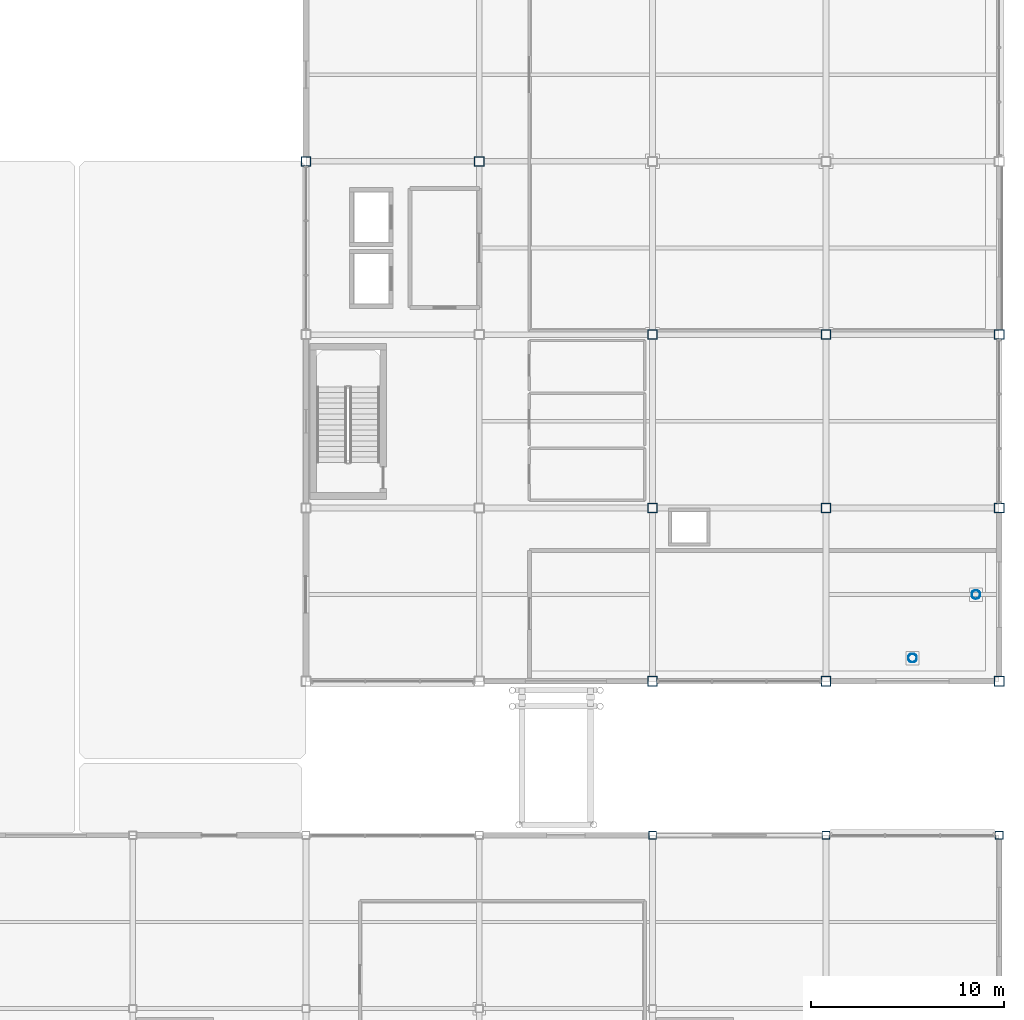
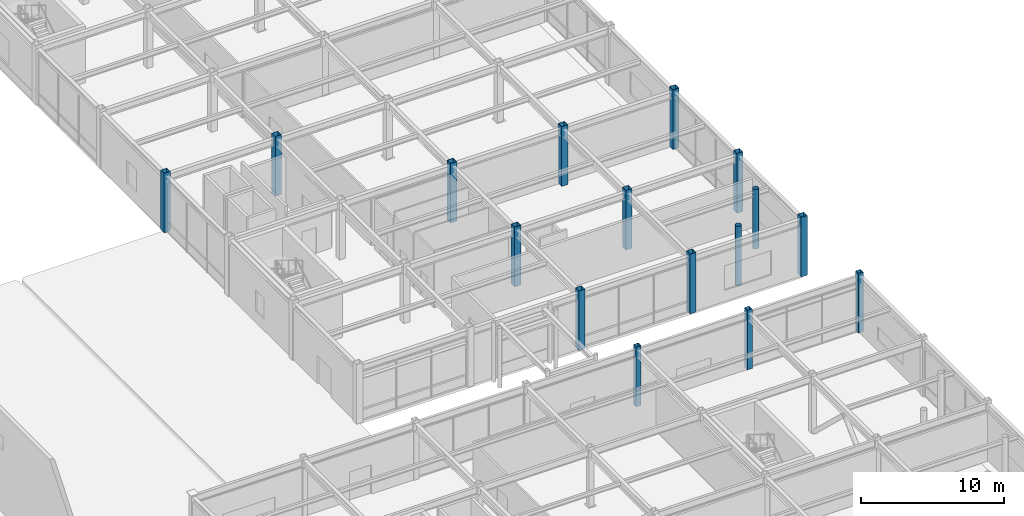
# One storey, part 25 of 123: 16 columns.
"""IFC4 building model written with IfcOpenShell, lengths in metres."""

import ifcopenshell
import ifcopenshell.guid

model = None  # the IFC model being written
_history = None  # IfcOwnerHistory: only IFC2X3 demands one
_inside = {}  # id of a spatial element -> (the spatial element, [elements in it])
_under = {}  # id of a project, library or spatial element -> (it, [spatial elements below it])
_declared = {}  # id of a project -> (the project, [libraries it declares])
_typed = {}  # id of a type object -> (the type object, [elements of that type])
_made_of = {}  # id of a material, layer set ... -> (it, [elements and type objects made of it])


def new_model(schema):
    """Start an empty IFC model of exactly this schema.

    Asked for "IFC4X3", IfcOpenShell would pick the latest addendum, in which some entities
    have other attributes; the version numbers below select the first issue.
    IFC2X3 requires an IfcOwnerHistory on every rooted entity: one is made here for all.
    """
    global model, _history
    if schema == "IFC4X3":
        model = ifcopenshell.file(schema_version=(4, 3, 0, 0))
    else:
        model = ifcopenshell.file(schema=schema)
    _inside.clear()
    _under.clear()
    _declared.clear()
    _typed.clear()
    _made_of.clear()
    _history = None
    if model.schema == "IFC2X3":
        org = make("IfcOrganization", Name="unknown")
        user = make(
            "IfcPersonAndOrganization",
            ThePerson=make("IfcPerson", FamilyName="unknown"),
            TheOrganization=org,
        )
        app = make(
            "IfcApplication",
            ApplicationDeveloper=org,
            Version="unknown",
            ApplicationFullName="unknown",
            ApplicationIdentifier="unknown",
        )
        _history = make(
            "IfcOwnerHistory",
            OwningUser=user,
            OwningApplication=app,
            ChangeAction="ADDED",
            CreationDate=0,
        )
    return model


def make(cls, **values):
    """One entity of the class cls with the attributes given. An attribute that is None is left unset."""
    return model.create_entity(
        cls, **{name: value for name, value in values.items() if value is not None}
    )


def rooted(cls, **values):
    """An entity with a GlobalId (a new one), such as an element, a storey or a relation."""
    return make(cls, GlobalId=ifcopenshell.guid.new(), OwnerHistory=_history, **values)


def si_unit(unit_type, name, prefix=None):
    """IfcSIUnit, for example si_unit("LENGTHUNIT", "METRE", prefix="MILLI")."""
    return make("IfcSIUnit", UnitType=unit_type, Prefix=prefix, Name=name)


def assignment(units):
    """IfcUnitAssignment: the units of a project."""
    return None if units is None else make("IfcUnitAssignment", Units=units)


def point(xyz):
    """IfcCartesianPoint."""
    return None if xyz is None else make("IfcCartesianPoint", Coordinates=xyz)


def direction(xyz):
    """IfcDirection."""
    return None if xyz is None else make("IfcDirection", DirectionRatios=xyz)


def frame(location, z_axis=None, x_axis=None):
    """IfcAxis2Placement3D, a coordinate frame: its origin and axes. An axis left out is left unset."""
    return make(
        "IfcAxis2Placement3D",
        Location=point(location),
        Axis=direction(z_axis),
        RefDirection=direction(x_axis),
    )


def frame_2d(location, x_axis=None):
    """IfcAxis2Placement2D, a coordinate frame in the plane: its origin and x axis."""
    return make(
        "IfcAxis2Placement2D", Location=point(location), RefDirection=direction(x_axis)
    )


def origin():
    """The frame at (0, 0, 0) with its axes left unset."""
    return frame((0.0, 0.0, 0.0))


def origin_2d():
    """The frame at (0, 0) in the plane with its x axis left unset."""
    return frame_2d((0.0, 0.0))


def place(relative_to, where):
    """IfcLocalPlacement: puts the frame where relative to a parent placement (None: the world)."""
    return make(
        "IfcLocalPlacement", PlacementRelTo=relative_to, RelativePlacement=where
    )


def context(
    kind, dimensions, precision=None, world=None, true_north=None, identifier=None
):
    """IfcGeometricRepresentationContext, for example the 3D "Model" context."""
    return make(
        "IfcGeometricRepresentationContext",
        ContextIdentifier=identifier,
        ContextType=kind,
        CoordinateSpaceDimension=dimensions,
        Precision=precision,
        WorldCoordinateSystem=world,
        TrueNorth=true_north,
    )


def subcontext(parent, identifier, kind, view, scale=None):
    """IfcGeometricRepresentationSubContext, for example "Body" below "Model"."""
    return make(
        "IfcGeometricRepresentationSubContext",
        ContextIdentifier=identifier,
        ContextType=kind,
        ParentContext=parent,
        TargetScale=scale,
        TargetView=view,
    )


def project(units=None, contexts=None):
    """IfcProject with its units and contexts."""
    return rooted(
        "IfcProject",
        Name="project",
        RepresentationContexts=contexts,
        UnitsInContext=assignment(units),
    )


def spatial(cls, under=None, at=None, **own):
    """A site, building, storey or space (cls), placed at a placement, below another one or the project."""
    s = rooted(cls, ObjectPlacement=at, **own)
    if under is not None:
        _under.setdefault(under.id(), (under, []))[1].append(s)
    return s


def profile(cls, at=None, kind="AREA", **sizes):
    """A parametric profile (cls). Its sizes go by their IFC names, for example OverallWidth=200.0."""
    return make(cls, ProfileType=kind, Position=at, **sizes)


def hollow_rectangle(**sizes):
    """IfcRectangleHollowProfileDef."""
    return profile("IfcRectangleHollowProfileDef", **sizes)


def hollow_circle(**sizes):
    """IfcCircleHollowProfileDef."""
    return profile("IfcCircleHollowProfileDef", **sizes)


def extrude(swept, where, along, depth):
    """IfcExtrudedAreaSolid: the profile swept, set in the frame where, extruded along a direction by depth."""
    return make(
        "IfcExtrudedAreaSolid",
        SweptArea=swept,
        Position=where,
        ExtrudedDirection=direction(along),
        Depth=depth,
    )


def shape(context_of_items, identifier, shape_type, items):
    """IfcShapeRepresentation: the items that make up one representation, for example the "Body"."""
    return make(
        "IfcShapeRepresentation",
        ContextOfItems=context_of_items,
        RepresentationIdentifier=identifier,
        RepresentationType=shape_type,
        Items=items,
    )


def material(Name=None, Category=None):
    """IfcMaterial."""
    return make("IfcMaterial", Name=Name, Category=Category)


def material_profile(
    of_material, cross_section, Name=None, Category=None, Priority=None
):
    """IfcMaterialProfile: a cross section and its material."""
    return make(
        "IfcMaterialProfile",
        Name=Name,
        Material=of_material,
        Profile=cross_section,
        Priority=Priority,
        Category=Category,
    )


def profile_set(profiles, Name=None, composite=None):
    """IfcMaterialProfileSet."""
    return make(
        "IfcMaterialProfileSet",
        Name=Name,
        MaterialProfiles=profiles,
        CompositeProfile=composite,
    )


def made_of(thing, what):
    """Note that an element or type object is made of a material, layer set ...; save() writes the relation."""
    if what is not None:
        _made_of.setdefault(what.id(), (what, []))[1].append(thing)
    return thing


def type_object(cls, material=None, **own):
    """A type object (cls), such as IfcWallType, which elements share."""
    return made_of(rooted(cls, **own), material)


def element(
    cls,
    number,
    at=None,
    inside=None,
    cuts=None,
    type_object=None,
    material=None,
    context=None,
    identifier="Body",
    shape_type=None,
    held_by="IfcProductDefinitionShape",
    body=None,
    shapes=None,
    **own,
):
    """One element of the class cls, such as IfcWall. Its Tag is "e" and its number.

    at: its placement. inside: the storey or other place that contains it. cuts: it is an
    opening in that element (IfcRelVoidsElement). A single representation is given by context,
    identifier, shape_type and body (its items); several are given by shapes. held_by: the class
    of the entity that holds the representations. save() writes the other relations.
    """
    e = rooted(cls, Tag="e%d" % number, ObjectPlacement=at, **own)
    if body is not None:
        shapes = [shape(context, identifier, shape_type, body)]
    if shapes is not None:
        e.Representation = make(held_by, Representations=shapes)
    if inside is not None:
        _inside.setdefault(inside.id(), (inside, []))[1].append(e)
    if cuts is not None:
        rooted(
            "IfcRelVoidsElement", RelatingBuildingElement=cuts, RelatedOpeningElement=e
        )
    if type_object is not None:
        _typed.setdefault(type_object.id(), (type_object, []))[1].append(e)
    return made_of(e, material)


def aggregate(whole, parts):
    """IfcRelAggregates: a whole, such as a stair, and the parts it consists of."""
    return rooted("IfcRelAggregates", RelatingObject=whole, RelatedObjects=parts)


def save(model, path):
    """Write the relations noted so far, then the file.

    IfcRelAggregates (storeys below a building ...), IfcRelContainedInSpatialStructure (elements
    in a storey), IfcRelDefinesByType, IfcRelAssociatesMaterial and IfcRelDeclares: one each for
    every whole, place, type object, material and project.
    """
    for whole, parts in _under.values():
        aggregate(whole, parts)
    for where, things in _inside.values():
        rooted(
            "IfcRelContainedInSpatialStructure",
            RelatedElements=things,
            RelatingStructure=where,
        )
    for kind, things in _typed.values():
        rooted("IfcRelDefinesByType", RelatedObjects=things, RelatingType=kind)
    for what, things in _made_of.values():
        rooted("IfcRelAssociatesMaterial", RelatedObjects=things, RelatingMaterial=what)
    for by, libraries in _declared.values():
        rooted("IfcRelDeclares", RelatingContext=by, RelatedDefinitions=libraries)
    model.write(path)


model = new_model("IFC4")

# Units and contexts
model_context = context("Model", 3, precision=1e-05, world=origin(), true_north=direction((0.0, 1.0)))
body_context = subcontext(model_context, "Body", "Model", "MODEL_VIEW")
ifc_project = project(units=[si_unit("LENGTHUNIT", "METRE"), si_unit("AREAUNIT", "SQUARE_METRE"), si_unit("VOLUMEUNIT", "CUBIC_METRE"), si_unit("PLANEANGLEUNIT", "RADIAN"), si_unit("MASSUNIT", "GRAM", prefix="KILO")], contexts=[model_context])

# Site, building, storey
site_placement = place(None, origin())
site = spatial("IfcSite", under=ifc_project, at=site_placement, CompositionType="ELEMENT")
building_placement = place(site_placement, origin())
building = spatial("IfcBuilding", under=site, at=building_placement, Name="Suzunagisa Mobility Hub", CompositionType="ELEMENT")
storey_placement = place(building_placement, origin())
storey = spatial("IfcBuildingStorey", under=building, at=storey_placement, Name="L00", CompositionType="ELEMENT", Elevation=0.0)

# Columns
ifc_material = material(Name="Steel SN490B", Category="steel")
ifc_material_profile_1 = material_profile(ifc_material, hollow_circle(Radius=0.228515625, WallThickness=0.01611328125, at=origin_2d()), Name="CHS-457.2x16.0")
ifc_profile_set_1 = profile_set([ifc_material_profile_1], Name="Steel SN490B")
column_type_1 = type_object("IfcColumnType", Name="Steel Column CL-08 CHS-457.2x16.0", PredefinedType="COLUMN", material=ifc_profile_set_1)
for number, where, z_axis, x_axis, name in (
    (1, (175.5, 45.205810546875, 0.0), (0.0, 0.0, 1.0), (1.0, 0.0, 0.0), "L00 Column 312"),
    (2, (178.794189453125, 48.5, 0.0), (0.0, 0.0, 1.0), (1.0, 0.0, 0.0), "L00 Column 318"),
):
    element("IfcColumn", number, at=place(storey_placement, frame(where, z_axis=z_axis, x_axis=x_axis)), inside=storey, type_object=column_type_1, Name=name, PredefinedType="COLUMN", context=body_context, shape_type="SweptSolid", body=[
        extrude(hollow_circle(Radius=0.228515625, WallThickness=0.01611328125, at=origin_2d()), origin(), (0.0, 0.0, 1.0), 5.10009765625),
    ])
ifc_material_profile_2 = material_profile(ifc_material, hollow_rectangle(XDim=0.5, YDim=0.5, WallThickness=0.02490234375, at=origin_2d()), Name="BCR-500x500x25")
ifc_profile_set_2 = profile_set([ifc_material_profile_2], Name="Steel SN490B")
column_type_2 = type_object("IfcColumnType", Name="Steel Column CL-11 BCR-500x500x25", PredefinedType="COLUMN", material=ifc_profile_set_2)
for number, where, z_axis, x_axis, name in (
    (3, (144.0, 71.0, 0.0), (0.0, 0.0, 1.0), (1.0, 0.0, 0.0), "L00 Column 259"),
    (4, (153.0, 71.0, 0.0), (0.0, 0.0, 1.0), (1.0, 0.0, 0.0), "L00 Column 272"),
    (5, (162.0, 44.0, 0.0), (0.0, 0.0, 1.0), (1.0, 0.0, 0.0), "L00 Column 288"),
    (6, (162.0, 53.0, 0.0), (0.0, 0.0, 1.0), (1.0, 0.0, 0.0), "L00 Column 289"),
    (7, (162.0, 62.0, 0.0), (0.0, 0.0, 1.0), (1.0, 0.0, 0.0), "L00 Column 290"),
    (8, (171.0, 44.0, 0.0), (0.0, 0.0, 1.0), (1.0, 0.0, 0.0), "L00 Column 301"),
    (9, (171.0, 53.0, 0.0), (0.0, 0.0, 1.0), (1.0, 0.0, 0.0), "L00 Column 302"),
    (10, (171.0, 62.0, 0.0), (0.0, 0.0, 1.0), (1.0, 0.0, 0.0), "L00 Column 303"),
    (11, (180.0, 44.0, 0.0), (0.0, 0.0, 1.0), (1.0, 0.0, 0.0), "L00 Column 325"),
    (12, (180.0, 53.0, 0.0), (0.0, 0.0, 1.0), (1.0, 0.0, 0.0), "L00 Column 326"),
    (13, (180.0, 62.0, 0.0), (0.0, 0.0, 1.0), (1.0, 0.0, 0.0), "L00 Column 327"),
):
    element("IfcColumn", number, at=place(storey_placement, frame(where, z_axis=z_axis, x_axis=x_axis)), inside=storey, type_object=column_type_2, Name=name, PredefinedType="COLUMN", context=body_context, shape_type="SweptSolid", body=[
        extrude(hollow_rectangle(XDim=0.5, YDim=0.5, WallThickness=0.02490234375, at=origin_2d()), origin(), (0.0, 0.0, 1.0), 5.10009765625),
    ])
ifc_material_profile_3 = material_profile(ifc_material, hollow_rectangle(XDim=0.39990234375, YDim=0.39990234375, WallThickness=0.01904296875, at=origin_2d()), Name="BCR-400x400x19")
ifc_profile_set_3 = profile_set([ifc_material_profile_3], Name="Steel SN490B")
column_type_3 = type_object("IfcColumnType", Name="Steel Column CL-13 BCR-400x400x19", PredefinedType="COLUMN", material=ifc_profile_set_3)
for number, where, z_axis, x_axis, name in (
    (14, (162.0, 36.0, 0.0), (0.0, 0.0, 1.0), (1.0, 0.0, 0.0), "L00 Column 287"),
    (15, (171.0, 36.0, 0.0), (0.0, 0.0, 1.0), (1.0, 0.0, 0.0), "L00 Column 300"),
    (16, (180.0, 36.0, 0.0), (0.0, 0.0, 1.0), (1.0, 0.0, 0.0), "L00 Column 324"),
):
    element("IfcColumn", number, at=place(storey_placement, frame(where, z_axis=z_axis, x_axis=x_axis)), inside=storey, type_object=column_type_3, Name=name, PredefinedType="COLUMN", context=body_context, shape_type="SweptSolid", body=[
        extrude(hollow_rectangle(XDim=0.39990234375, YDim=0.39990234375, WallThickness=0.01904296875, at=origin_2d()), origin(), (0.0, 0.0, 1.0), 5.10009765625),
    ])

save(model, "model.ifc")
